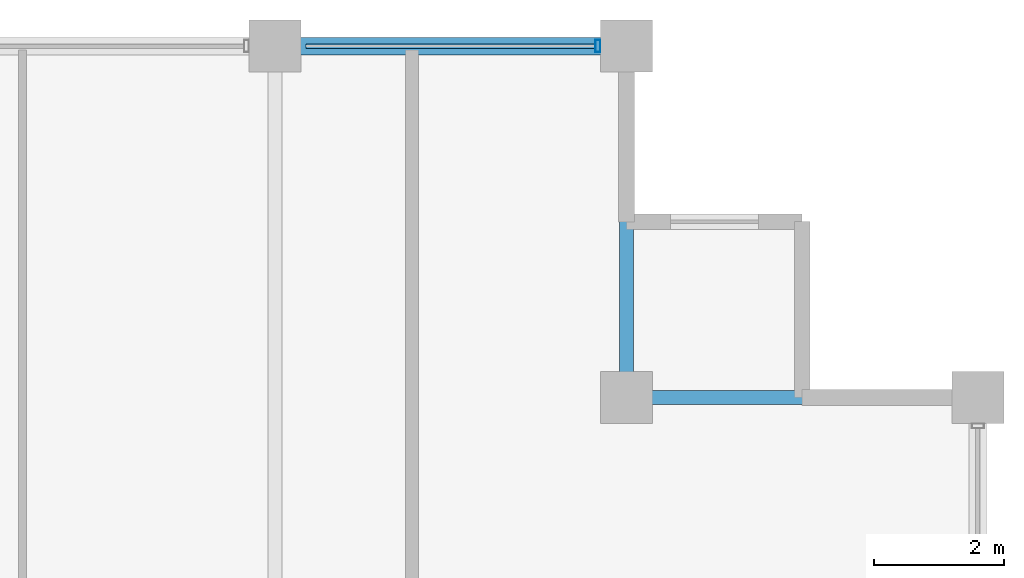
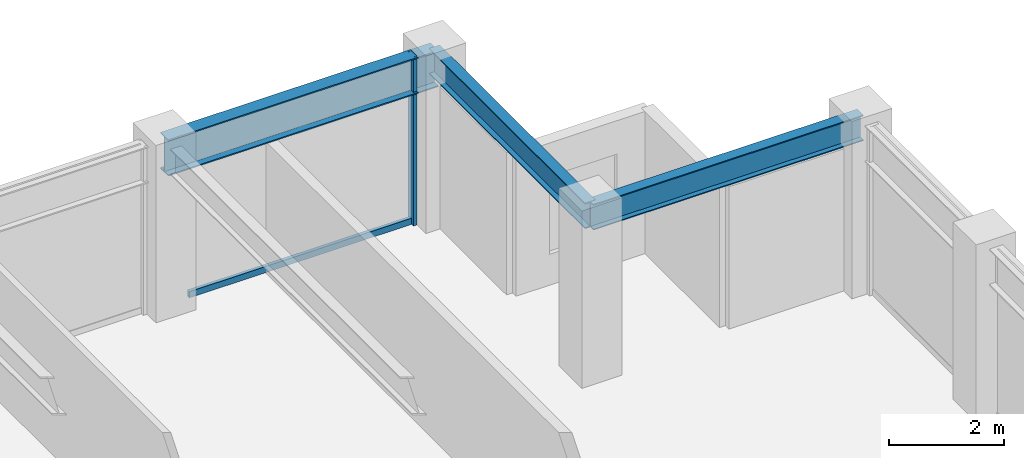
# One storey, part 24 of 32: 3 beams, 2 members, 1 element without a shape of its own.
"""IFC4 building model written with IfcOpenShell, lengths in metres."""

from ifc_helpers import new_model, si_unit, direction, frame, origin, origin_2d, place, context, subcontext, project, spatial, hollow_rectangle, i_section, extrude, material, layer, layer_set, material_profile, profile_set, type_object, element, aggregate, save


model = new_model("IFC4")

# Units and contexts
model_context = context("Model", 3, precision=1e-05, world=origin(), true_north=direction((0.0, 1.0)))
body_context = subcontext(model_context, "Body", "Model", "MODEL_VIEW")
ifc_project = project(units=[si_unit("LENGTHUNIT", "METRE"), si_unit("AREAUNIT", "SQUARE_METRE"), si_unit("VOLUMEUNIT", "CUBIC_METRE"), si_unit("PLANEANGLEUNIT", "RADIAN"), si_unit("MASSUNIT", "GRAM", prefix="KILO")], contexts=[model_context])

# Site, building, storey
site_placement = place(None, origin())
site = spatial("IfcSite", under=ifc_project, at=site_placement, CompositionType="ELEMENT")
building_placement = place(site_placement, origin())
building = spatial("IfcBuilding", under=site, at=building_placement, Name="Surkhivell Harbour Commons", CompositionType="ELEMENT")
storey_placement = place(building_placement, frame((0.0, 0.0, 216.0)))
storey = spatial("IfcBuildingStorey", under=building, at=storey_placement, Name="L56", CompositionType="ELEMENT", Elevation=216.0)

# Beams
ifc_material_1 = material(Name="Steel S355", Category="steel")
ifc_material_profile_1 = material_profile(ifc_material_1, i_section(OverallWidth=0.2119140625, OverallDepth=0.5439453125, WebThickness=0.0126953125, FlangeThickness=0.021240234375, at=origin_2d()), Name="UB533x210x122")
ifc_profile_set_1 = profile_set([ifc_material_profile_1], Name="Steel S355")
beam_type_1 = type_object("IfcBeamType", Name="BM-GRD-533A", PredefinedType="BEAM", material=ifc_profile_set_1)
beam_1_placement = place(storey_placement, frame((16.199951171875, 20.5, 3.298095703125), z_axis=(0.0, 1.0, 0.0), x_axis=(-1.0, 0.0, 0.0)))
element("IfcBeam", 1, at=beam_1_placement, inside=storey, type_object=beam_type_1, Name="L56 Floor Girder (16.2,20.5)", PredefinedType="BEAM", context=body_context, shape_type="SweptSolid", body=[
    extrude(i_section(OverallWidth=0.2119140625, OverallDepth=0.5439453125, WebThickness=0.0126953125, FlangeThickness=0.021240234375, at=origin_2d()), origin(), (0.0, 0.0, 1.0), 5.39990234375),
])
beam_2_placement = place(storey_placement, frame((16.199951171875, 20.5, 3.298095703125), z_axis=(1.0, 0.0, 0.0), x_axis=(0.0, 1.0, 0.0)))
element("IfcBeam", 2, at=beam_2_placement, inside=storey, type_object=beam_type_1, Name="L56 Floor Girder (16.2,20.5)", PredefinedType="BEAM", context=body_context, shape_type="SweptSolid", body=[
    extrude(i_section(OverallWidth=0.2119140625, OverallDepth=0.5439453125, WebThickness=0.0126953125, FlangeThickness=0.021240234375, at=origin_2d()), origin(), (0.0, 0.0, 1.0), 5.400146484375),
])
ifc_material_profile_2 = material_profile(ifc_material_1, i_section(OverallWidth=0.26806640625, OverallDepth=0.77001953125, WebThickness=0.015625, FlangeThickness=0.025390625, at=origin_2d()), Name="UB762x267x197")
ifc_profile_set_2 = profile_set([ifc_material_profile_2], Name="Steel S355")
beam_type_2 = type_object("IfcBeamType", Name="BM-SPN-762", PredefinedType="SPANDREL", material=ifc_profile_set_2)
beam_3_placement = place(storey_placement, frame((10.800048828125, 25.89990234375, 3.18505859375), z_axis=(1.0, 0.0, 0.0), x_axis=(0.0, 1.0, 0.0)))
element("IfcBeam", 3, at=beam_3_placement, inside=storey, type_object=beam_type_2, Name="L56 Tube Spandrel (10.8,25.9)", PredefinedType="SPANDREL", context=body_context, shape_type="SweptSolid", body=[
    extrude(i_section(OverallWidth=0.26806640625, OverallDepth=0.77001953125, WebThickness=0.015625, FlangeThickness=0.025390625, at=origin_2d()), origin(), (0.0, 0.0, 1.0), 5.39990234375),
])

# Curtain wall, members
ifc_material_2 = material(Name="Anodised pale-metal aluminium and insulated glazing", Category="aluminium")
ifc_layer = layer(ifc_material_2, 0.18994140625)
ifc_layer_set = layer_set([ifc_layer], Name="Anodised pale-metal aluminium and insulated glazing")
curtain_wall_type = type_object("IfcCurtainWallType", Name="CW-SYS-Z3", PredefinedType="NOTDEFINED", material=ifc_layer_set)
curtain_wall_placement = place(storey_placement, origin())
curtain_wall = element("IfcCurtainWall", 4, at=curtain_wall_placement, inside=storey, type_object=curtain_wall_type, Name="L56 Curtain Wall CW-L56-E07S1", PredefinedType="NOTDEFINED")
ifc_material_3 = material(Name="Anodised pale-metal aluminium alloy 6063-T6", Category="aluminium")
ifc_material_profile_3 = material_profile(ifc_material_3, hollow_rectangle(XDim=0.074951171875, YDim=0.18994140625, WallThickness=0.00390625, at=origin_2d()), Name="ALU-MULL-75x190")
ifc_profile_set_3 = profile_set([ifc_material_profile_3], Name="Anodised pale-metal aluminium alloy 6063-T6")
member_type_1 = type_object("IfcMemberType", Name="CWM-190", PredefinedType="MULLION", material=ifc_profile_set_3)
member_1_placement = place(storey_placement, frame((15.760498046875, 25.89990234375, 0.0), z_axis=(0.0, 0.0, 1.0), x_axis=(-1.0, 0.0, 0.0)))
member_1 = element("IfcMember", 5, at=member_1_placement, type_object=member_type_1, Name="CW-Z3 mullion 1", PredefinedType="MULLION", context=body_context, shape_type="SweptSolid", body=[
    extrude(hollow_rectangle(XDim=0.074951171875, YDim=0.18994140625, WallThickness=0.00390625, at=origin_2d()), origin(), (0.0, 0.0, 1.0), 3.570068359375),
])
ifc_material_4 = material(Name="Champagne anodised aluminium alloy 6063-T6", Category="aluminium")
ifc_material_profile_4 = material_profile(ifc_material_4, hollow_rectangle(XDim=0.070068359375, YDim=0.1298828125, WallThickness=0.00341796875, at=origin_2d()), Name="ALU-TRAN-70x130")
ifc_profile_set_4 = profile_set([ifc_material_profile_4], Name="Champagne anodised aluminium alloy 6063-T6")
member_type_2 = type_object("IfcMemberType", Name="CWT-130", PredefinedType="USERDEFINED", material=ifc_profile_set_4)
member_2_placement = place(storey_placement, frame((15.722900390625, 25.89990234375, 0.06494140625), z_axis=(-1.0, 0.0, 0.0), x_axis=(0.0, -1.0, 0.0)))
member_2 = element("IfcMember", 6, at=member_2_placement, type_object=member_type_2, Name="CW-Z3 transom 1.1", ObjectType="TRANSOM", PredefinedType="USERDEFINED", context=body_context, shape_type="SweptSolid", body=[
    extrude(hollow_rectangle(XDim=0.070068359375, YDim=0.1298828125, WallThickness=0.00341796875, at=origin_2d()), origin(), (0.0, 0.0, 1.0), 4.44580078125),
])
aggregate(curtain_wall, [member_1, member_2])

save(model, "model.ifc")
